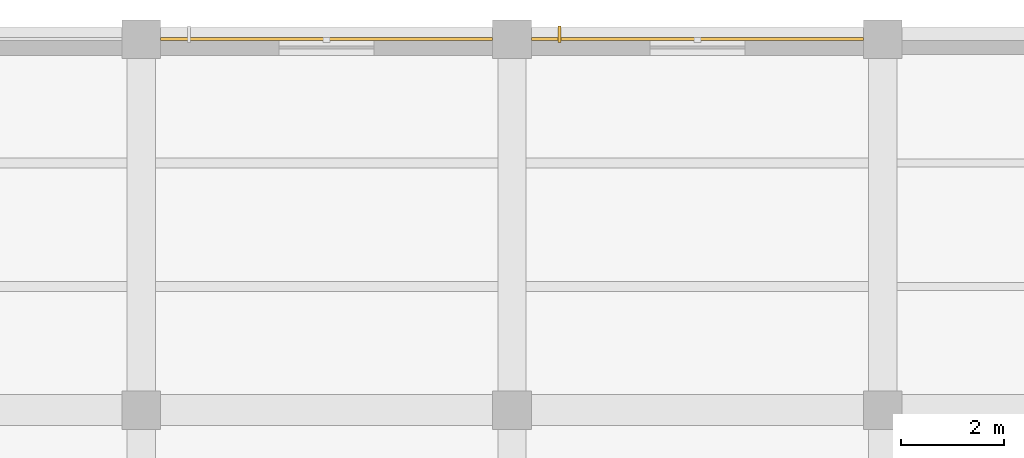
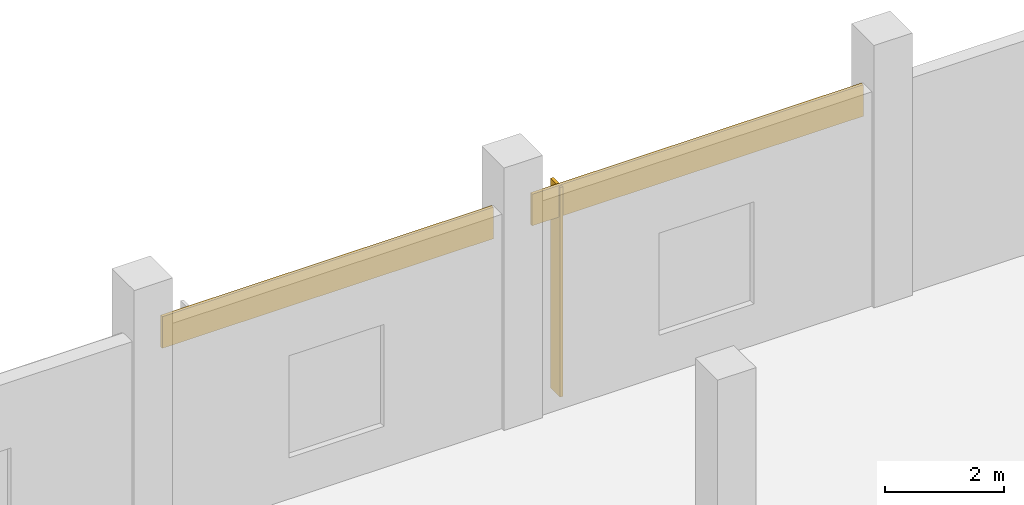
# One storey, part 132 of 137: 2 coverings, 1 shading device.
"""IFC4 building model written with IfcOpenShell, lengths in metres."""

import ifcopenshell
import ifcopenshell.guid

model = None  # the IFC model being written
_history = None  # IfcOwnerHistory: only IFC2X3 demands one
_inside = {}  # id of a spatial element -> (the spatial element, [elements in it])
_under = {}  # id of a project, library or spatial element -> (it, [spatial elements below it])
_declared = {}  # id of a project -> (the project, [libraries it declares])
_typed = {}  # id of a type object -> (the type object, [elements of that type])
_made_of = {}  # id of a material, layer set ... -> (it, [elements and type objects made of it])


def new_model(schema):
    """Start an empty IFC model of exactly this schema.

    Asked for "IFC4X3", IfcOpenShell would pick the latest addendum, in which some entities
    have other attributes; the version numbers below select the first issue.
    IFC2X3 requires an IfcOwnerHistory on every rooted entity: one is made here for all.
    """
    global model, _history
    if schema == "IFC4X3":
        model = ifcopenshell.file(schema_version=(4, 3, 0, 0))
    else:
        model = ifcopenshell.file(schema=schema)
    _inside.clear()
    _under.clear()
    _declared.clear()
    _typed.clear()
    _made_of.clear()
    _history = None
    if model.schema == "IFC2X3":
        org = make("IfcOrganization", Name="unknown")
        user = make(
            "IfcPersonAndOrganization",
            ThePerson=make("IfcPerson", FamilyName="unknown"),
            TheOrganization=org,
        )
        app = make(
            "IfcApplication",
            ApplicationDeveloper=org,
            Version="unknown",
            ApplicationFullName="unknown",
            ApplicationIdentifier="unknown",
        )
        _history = make(
            "IfcOwnerHistory",
            OwningUser=user,
            OwningApplication=app,
            ChangeAction="ADDED",
            CreationDate=0,
        )
    return model


def make(cls, **values):
    """One entity of the class cls with the attributes given. An attribute that is None is left unset."""
    return model.create_entity(
        cls, **{name: value for name, value in values.items() if value is not None}
    )


def rooted(cls, **values):
    """An entity with a GlobalId (a new one), such as an element, a storey or a relation."""
    return make(cls, GlobalId=ifcopenshell.guid.new(), OwnerHistory=_history, **values)


def si_unit(unit_type, name, prefix=None):
    """IfcSIUnit, for example si_unit("LENGTHUNIT", "METRE", prefix="MILLI")."""
    return make("IfcSIUnit", UnitType=unit_type, Prefix=prefix, Name=name)


def assignment(units):
    """IfcUnitAssignment: the units of a project."""
    return None if units is None else make("IfcUnitAssignment", Units=units)


def point(xyz):
    """IfcCartesianPoint."""
    return None if xyz is None else make("IfcCartesianPoint", Coordinates=xyz)


def direction(xyz):
    """IfcDirection."""
    return None if xyz is None else make("IfcDirection", DirectionRatios=xyz)


def frame(location, z_axis=None, x_axis=None):
    """IfcAxis2Placement3D, a coordinate frame: its origin and axes. An axis left out is left unset."""
    return make(
        "IfcAxis2Placement3D",
        Location=point(location),
        Axis=direction(z_axis),
        RefDirection=direction(x_axis),
    )


def frame_2d(location, x_axis=None):
    """IfcAxis2Placement2D, a coordinate frame in the plane: its origin and x axis."""
    return make(
        "IfcAxis2Placement2D", Location=point(location), RefDirection=direction(x_axis)
    )


def origin():
    """The frame at (0, 0, 0) with its axes left unset."""
    return frame((0.0, 0.0, 0.0))


def origin_2d():
    """The frame at (0, 0) in the plane with its x axis left unset."""
    return frame_2d((0.0, 0.0))


def place(relative_to, where):
    """IfcLocalPlacement: puts the frame where relative to a parent placement (None: the world)."""
    return make(
        "IfcLocalPlacement", PlacementRelTo=relative_to, RelativePlacement=where
    )


def context(
    kind, dimensions, precision=None, world=None, true_north=None, identifier=None
):
    """IfcGeometricRepresentationContext, for example the 3D "Model" context."""
    return make(
        "IfcGeometricRepresentationContext",
        ContextIdentifier=identifier,
        ContextType=kind,
        CoordinateSpaceDimension=dimensions,
        Precision=precision,
        WorldCoordinateSystem=world,
        TrueNorth=true_north,
    )


def subcontext(parent, identifier, kind, view, scale=None):
    """IfcGeometricRepresentationSubContext, for example "Body" below "Model"."""
    return make(
        "IfcGeometricRepresentationSubContext",
        ContextIdentifier=identifier,
        ContextType=kind,
        ParentContext=parent,
        TargetScale=scale,
        TargetView=view,
    )


def project(units=None, contexts=None):
    """IfcProject with its units and contexts."""
    return rooted(
        "IfcProject",
        Name="project",
        RepresentationContexts=contexts,
        UnitsInContext=assignment(units),
    )


def spatial(cls, under=None, at=None, **own):
    """A site, building, storey or space (cls), placed at a placement, below another one or the project."""
    s = rooted(cls, ObjectPlacement=at, **own)
    if under is not None:
        _under.setdefault(under.id(), (under, []))[1].append(s)
    return s


def profile(cls, at=None, kind="AREA", **sizes):
    """A parametric profile (cls). Its sizes go by their IFC names, for example OverallWidth=200.0."""
    return make(cls, ProfileType=kind, Position=at, **sizes)


def rectangle(**sizes):
    """IfcRectangleProfileDef."""
    return profile("IfcRectangleProfileDef", **sizes)


def extrude(swept, where, along, depth):
    """IfcExtrudedAreaSolid: the profile swept, set in the frame where, extruded along a direction by depth."""
    return make(
        "IfcExtrudedAreaSolid",
        SweptArea=swept,
        Position=where,
        ExtrudedDirection=direction(along),
        Depth=depth,
    )


def shape(context_of_items, identifier, shape_type, items):
    """IfcShapeRepresentation: the items that make up one representation, for example the "Body"."""
    return make(
        "IfcShapeRepresentation",
        ContextOfItems=context_of_items,
        RepresentationIdentifier=identifier,
        RepresentationType=shape_type,
        Items=items,
    )


def material(Name=None, Category=None):
    """IfcMaterial."""
    return make("IfcMaterial", Name=Name, Category=Category)


def layer(
    of_material, thickness, ventilated=None, Name=None, Category=None, Priority=None
):
    """IfcMaterialLayer: one layer of a wall or slab, of a material (None: an air gap)."""
    return make(
        "IfcMaterialLayer",
        Material=of_material,
        LayerThickness=thickness,
        IsVentilated=ventilated,
        Name=Name,
        Category=Category,
        Priority=Priority,
    )


def layer_set(layers, Name=None):
    """IfcMaterialLayerSet."""
    return make("IfcMaterialLayerSet", MaterialLayers=layers, LayerSetName=Name)


def made_of(thing, what):
    """Note that an element or type object is made of a material, layer set ...; save() writes the relation."""
    if what is not None:
        _made_of.setdefault(what.id(), (what, []))[1].append(thing)
    return thing


def type_object(cls, material=None, **own):
    """A type object (cls), such as IfcWallType, which elements share."""
    return made_of(rooted(cls, **own), material)


def element(
    cls,
    number,
    at=None,
    inside=None,
    cuts=None,
    type_object=None,
    material=None,
    context=None,
    identifier="Body",
    shape_type=None,
    held_by="IfcProductDefinitionShape",
    body=None,
    shapes=None,
    **own,
):
    """One element of the class cls, such as IfcWall. Its Tag is "e" and its number.

    at: its placement. inside: the storey or other place that contains it. cuts: it is an
    opening in that element (IfcRelVoidsElement). A single representation is given by context,
    identifier, shape_type and body (its items); several are given by shapes. held_by: the class
    of the entity that holds the representations. save() writes the other relations.
    """
    e = rooted(cls, Tag="e%d" % number, ObjectPlacement=at, **own)
    if body is not None:
        shapes = [shape(context, identifier, shape_type, body)]
    if shapes is not None:
        e.Representation = make(held_by, Representations=shapes)
    if inside is not None:
        _inside.setdefault(inside.id(), (inside, []))[1].append(e)
    if cuts is not None:
        rooted(
            "IfcRelVoidsElement", RelatingBuildingElement=cuts, RelatedOpeningElement=e
        )
    if type_object is not None:
        _typed.setdefault(type_object.id(), (type_object, []))[1].append(e)
    return made_of(e, material)


def aggregate(whole, parts):
    """IfcRelAggregates: a whole, such as a stair, and the parts it consists of."""
    return rooted("IfcRelAggregates", RelatingObject=whole, RelatedObjects=parts)


def save(model, path):
    """Write the relations noted so far, then the file.

    IfcRelAggregates (storeys below a building ...), IfcRelContainedInSpatialStructure (elements
    in a storey), IfcRelDefinesByType, IfcRelAssociatesMaterial and IfcRelDeclares: one each for
    every whole, place, type object, material and project.
    """
    for whole, parts in _under.values():
        aggregate(whole, parts)
    for where, things in _inside.values():
        rooted(
            "IfcRelContainedInSpatialStructure",
            RelatedElements=things,
            RelatingStructure=where,
        )
    for kind, things in _typed.values():
        rooted("IfcRelDefinesByType", RelatedObjects=things, RelatingType=kind)
    for what, things in _made_of.values():
        rooted("IfcRelAssociatesMaterial", RelatedObjects=things, RelatingMaterial=what)
    for by, libraries in _declared.values():
        rooted("IfcRelDeclares", RelatingContext=by, RelatedDefinitions=libraries)
    model.write(path)


model = new_model("IFC4")

# Units and contexts
model_context = context("Model", 3, precision=1e-05, world=origin(), true_north=direction((0.0, 1.0)))
body_context = subcontext(model_context, "Body", "Model", "MODEL_VIEW")
ifc_project = project(units=[si_unit("LENGTHUNIT", "METRE"), si_unit("AREAUNIT", "SQUARE_METRE"), si_unit("VOLUMEUNIT", "CUBIC_METRE"), si_unit("PLANEANGLEUNIT", "RADIAN"), si_unit("MASSUNIT", "GRAM", prefix="KILO")], contexts=[model_context])

# Site, building, storey
site_placement = place(None, origin())
site = spatial("IfcSite", under=ifc_project, at=site_placement, CompositionType="ELEMENT")
building_placement = place(site_placement, origin())
building = spatial("IfcBuilding", under=site, at=building_placement, Name="Kalmorath City Hall", CompositionType="ELEMENT")
storey_placement = place(building_placement, origin())
storey = spatial("IfcBuildingStorey", under=building, at=storey_placement, Name="L00", CompositionType="ELEMENT", Elevation=0.0)

# Shading device
ifc_material_1 = material(Name="Bronze anodised aluminium", Category="aluminium")
ifc_layer_1 = layer(ifc_material_1, 0.06005859375)
ifc_layer_set_1 = layer_set([ifc_layer_1], Name="Bronze anodised aluminium")
shading_device_type = type_object("IfcShadingDeviceType", Name="Bronze vertical solar fin 320", PredefinedType="USERDEFINED", material=ifc_layer_set_1)
shading_device_placement = place(storey_placement, frame((116.1259765625, 115.300048828125, 0.050048828125), z_axis=(0.0, 0.0, 1.0), x_axis=(1.0, 0.0, 0.0)))
element("IfcShadingDevice", 1, at=shading_device_placement, inside=storey, type_object=shading_device_type, Name="L00 bronze solar fin #41", ObjectType="FIN", PredefinedType="USERDEFINED", context=body_context, shape_type="SweptSolid", body=[
    extrude(rectangle(XDim=0.06005859375, YDim=0.320068359375, at=origin_2d()), origin(), (0.0, 0.0, 1.0), 4.31103515625),
])

# Coverings
ifc_material_2 = material(Name="Volcanic basalt stone cladding", Category="masonry")
ifc_layer_2 = layer(ifc_material_2, 0.06005859375)
ifc_layer_set_2 = layer_set([ifc_layer_2], Name="Volcanic basalt stone cladding")
covering_type = type_object("IfcCoveringType", Name="Volcanic basalt stone rainscreen cladding", PredefinedType="CLADDING", material=ifc_layer_set_2)
for number, where, z_axis, x_axis, name in (
    (2, (111.60009765625, 115.205078125, 3.736083984375), (0.0, 0.0, 1.0), (1.0, 0.0, 0.0), "L00 basalt spandrel cladding #12"),
    (3, (118.800048828125, 115.205078125, 3.736083984375), (0.0, 0.0, 1.0), (1.0, 0.0, 0.0), "L00 basalt spandrel cladding #13"),
):
    element("IfcCovering", number, at=place(storey_placement, frame(where, z_axis=z_axis, x_axis=x_axis)), inside=storey, type_object=covering_type, Name=name, PredefinedType="CLADDING", context=body_context, shape_type="SweptSolid", body=[
        extrude(rectangle(XDim=6.447998046875, YDim=0.06005859375, at=origin_2d()), origin(), (0.0, 0.0, 1.0), 0.64990234375),
    ])

save(model, "model.ifc")
